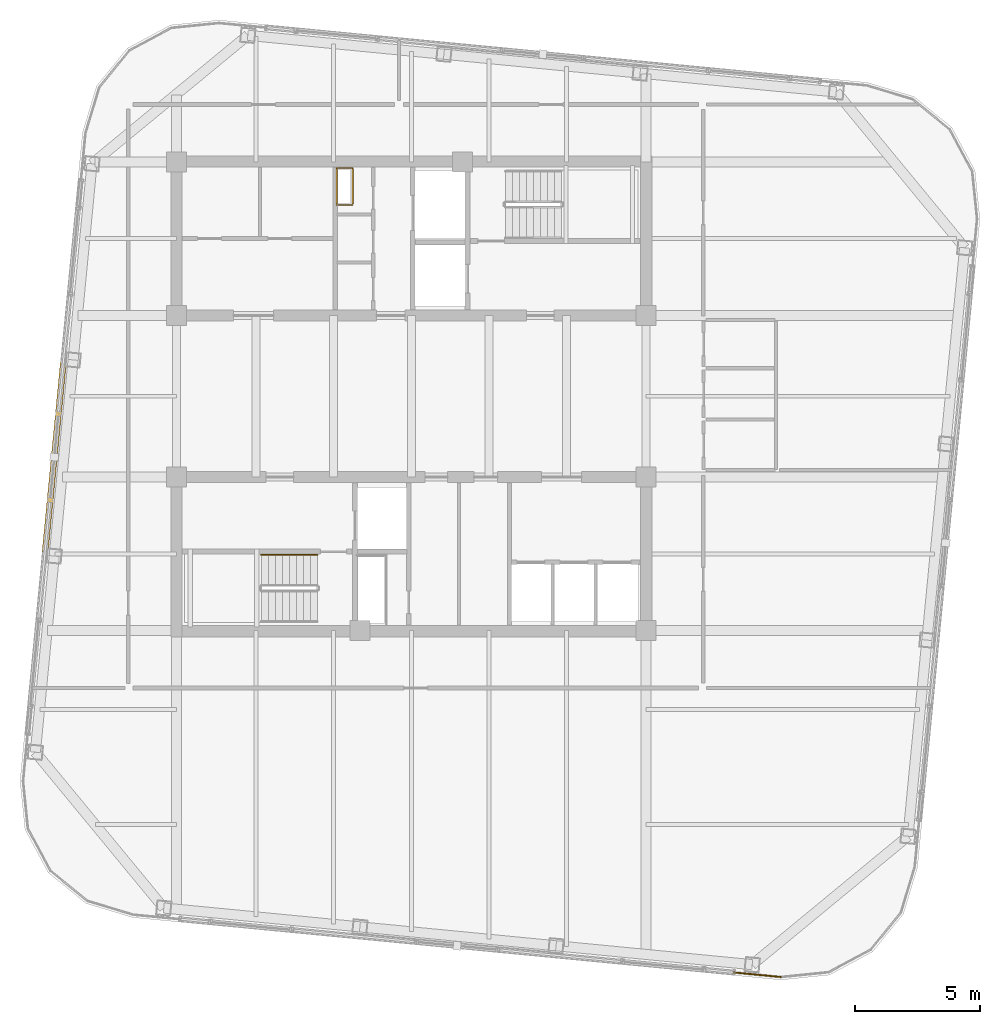
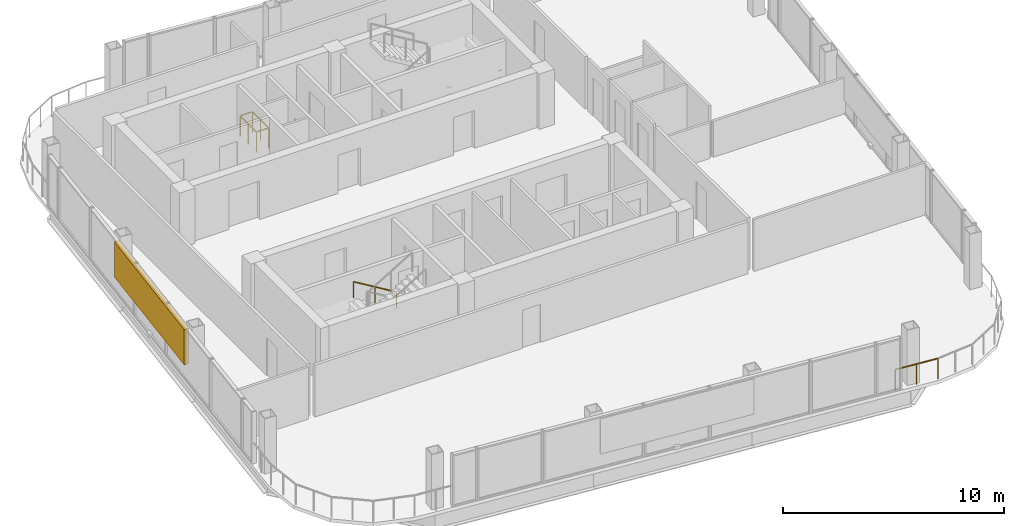
# One storey, part 20 of 22: 3 railings, 1 shading device.
"""IFC4 building model written with IfcOpenShell, lengths in metres."""

from ifc_helpers import new_model, si_unit, direction, frame, origin, origin_2d, place, context, subcontext, project, spatial, rectangle, extrude, material, type_object, element, save


model = new_model("IFC4")

# Units and contexts
model_context = context("Model", 3, precision=1e-05, world=origin(), true_north=direction((0.0, 1.0)))
body_context = subcontext(model_context, "Body", "Model", "MODEL_VIEW")
ifc_project = project(units=[si_unit("LENGTHUNIT", "METRE"), si_unit("AREAUNIT", "SQUARE_METRE"), si_unit("VOLUMEUNIT", "CUBIC_METRE"), si_unit("PLANEANGLEUNIT", "RADIAN"), si_unit("MASSUNIT", "GRAM", prefix="KILO")], contexts=[model_context])

# Site, building, storey
site_placement = place(None, origin())
site = spatial("IfcSite", under=ifc_project, at=site_placement, CompositionType="ELEMENT")
building_placement = place(site_placement, origin())
building = spatial("IfcBuilding", under=site, at=building_placement, Name="Qhalaya Broadcast Tower", CompositionType="ELEMENT")
storey_placement = place(building_placement, frame((0.0, 0.0, 245.89990234375)))
storey = spatial("IfcBuildingStorey", under=building, at=storey_placement, Name="L72", CompositionType="ELEMENT", Elevation=245.89990234375)

# Railings
ifc_material_1 = material(Name="Powder-Coated Galvanised Steel", Category="steel")
railing_type_1 = type_object("IfcRailingType", Name="Stair Wall Handrail 900", PredefinedType="HANDRAIL", material=ifc_material_1)
railing_1_placement = place(storey_placement, frame((-3.75, -5.72998046875, 0.16943359375)))
element("IfcRailing", 1, at=railing_1_placement, inside=storey, type_object=railing_type_1, Name="L72 ST-2 Stair Handrail 1", PredefinedType="HANDRAIL", context=body_context, shape_type="SweptSolid", body=[
    extrude(rectangle(XDim=0.048095703125, YDim=0.048095703125, at=origin_2d()), frame((0.0, 0.0, 0.8759765625), z_axis=(-0.855512035549, 0.0, 0.517782924622), x_axis=(0.0, -1.0, 0.0)), (0.0, 0.0, 1.0), 2.618408203125),
    extrude(rectangle(XDim=0.0419921875, YDim=0.0419921875, at=origin_2d()), origin(), (0.0, 0.0, 1.0), 0.849853515625),
    extrude(rectangle(XDim=0.0419921875, YDim=0.0419921875, at=origin_2d()), frame((-1.1201171875, 0.0, 0.677734375)), (0.0, 0.0, 1.0), 0.849853515625),
    extrude(rectangle(XDim=0.0419921875, YDim=0.0419921875, at=origin_2d()), frame((-2.239990234375, 0.0, 1.355712890625)), (0.0, 0.0, 1.0), 0.849853515625),
])
railing_type_2 = type_object("IfcRailingType", Name="Stair Well & Landing Guardrail 1100", PredefinedType="GUARDRAIL", material=ifc_material_1)
railing_2_placement = place(storey_placement, frame((-2.340087890625, 8.239990234375, 0.0)))
element("IfcRailing", 2, at=railing_2_placement, inside=storey, type_object=railing_type_2, Name="L72 Service Riser Opening Safety Guard NRSR", PredefinedType="GUARDRAIL", context=body_context, shape_type="SweptSolid", body=[
    extrude(rectangle(XDim=0.048095703125, YDim=0.048095703125, at=origin_2d()), frame((0.0, 0.02880859375, 1.1259765625), z_axis=(0.0, 1.0, 0.0), x_axis=(-1.0, 0.0, 0.0)), (0.0, 0.0, 1.0), 1.42236328125),
    extrude(rectangle(XDim=0.048095703125, YDim=0.048095703125, at=origin_2d()), frame((-0.02880859375, 1.47998046875, 1.1259765625), z_axis=(-1.0, 0.0, 0.0), x_axis=(0.0, -1.0, 0.0)), (0.0, 0.0, 1.0), 0.582275390625),
    extrude(rectangle(XDim=0.048095703125, YDim=0.048095703125, at=origin_2d()), frame((-0.639892578125, 1.451171875, 1.1259765625), z_axis=(0.0, -1.0, 0.0), x_axis=(1.0, 0.0, 0.0)), (0.0, 0.0, 1.0), 1.42236328125),
    extrude(rectangle(XDim=0.048095703125, YDim=0.048095703125, at=origin_2d()), frame((-0.611083984375, 0.0, 1.1259765625), z_axis=(1.0, 0.0, 0.0), x_axis=(0.0, 1.0, 0.0)), (0.0, 0.0, 1.0), 0.582275390625),
    extrude(rectangle(XDim=0.0419921875, YDim=0.0419921875, at=origin_2d()), origin(), (0.0, 0.0, 1.0), 1.099853515625),
    extrude(rectangle(XDim=0.0419921875, YDim=0.0419921875, at=origin_2d()), frame((0.0, 0.739990234375, 0.0)), (0.0, 0.0, 1.0), 1.099853515625),
    extrude(rectangle(XDim=0.0419921875, YDim=0.0419921875, at=origin_2d()), frame((0.0, 1.47998046875, 0.0)), (0.0, 0.0, 1.0), 1.099853515625),
    extrude(rectangle(XDim=0.0419921875, YDim=0.0419921875, at=origin_2d()), frame((-0.639892578125, 1.47998046875, 0.0)), (0.0, 0.0, 1.0), 1.099853515625),
    extrude(rectangle(XDim=0.0419921875, YDim=0.0419921875, at=origin_2d()), frame((-0.639892578125, 0.739990234375, 0.0)), (0.0, 0.0, 1.0), 1.099853515625),
    extrude(rectangle(XDim=0.0419921875, YDim=0.0419921875, at=origin_2d()), frame((-0.639892578125, 0.0, 0.0)), (0.0, 0.0, 1.0), 1.099853515625),
])
railing_type_3 = type_object("IfcRailingType", Name="Terrace, Sky-Pool & Lookout Glass Balustrade 1150", PredefinedType="BALUSTRADE", material=ifc_material_1)
railing_3_placement = place(storey_placement, frame((14.754638671875, -22.58251953125, 0.0)))
element("IfcRailing", 3, at=railing_3_placement, inside=storey, type_object=railing_type_3, Name="L72 Rounded Corner Perimeter Guard 01", PredefinedType="BALUSTRADE", context=body_context, shape_type="SweptSolid", body=[
    extrude(rectangle(XDim=0.048095703125, YDim=0.048095703125, at=origin_2d()), frame((0.0, 0.0, 1.1259765625), z_axis=(-0.995391273094, 0.095896889673, 0.0), x_axis=(-0.095896889673, -0.995391273094, 0.0)), (0.0, 0.0, 1.0), 2.1181640625),
    extrude(rectangle(XDim=0.0419921875, YDim=0.0419921875, at=origin_2d()), origin(), (0.0, 0.0, 1.0), 1.099853515625),
    extrude(rectangle(XDim=0.0419921875, YDim=0.0419921875, at=origin_2d()), frame((-1.05419921875, 0.1015625, 0.0)), (0.0, 0.0, 1.0), 1.099853515625),
    extrude(rectangle(XDim=0.0419921875, YDim=0.0419921875, at=origin_2d()), frame((-2.1083984375, 0.203125, 0.0)), (0.0, 0.0, 1.0), 1.099853515625),
])

# Shading device
ifc_material_2 = material(Name="Fired Architectural Terracotta", Category="masonry")
shading_device_type = type_object("IfcShadingDeviceType", Name="Terracotta Baguette Solar Screen Assembly TBS-01", PredefinedType="USERDEFINED", material=ifc_material_2)
shading_device_placement = place(storey_placement, frame((-14.2578125, -1.826171875, 0.80078125), z_axis=(0.0, 0.0, 1.0), x_axis=(-0.09584575252, -0.995396198367, 0.0)))
element("IfcShadingDevice", 4, at=shading_device_placement, inside=storey, type_object=shading_device_type, Name="L72 Fired Terracotta Baguette Screen W", ObjectType="BAGUETTE", PredefinedType="USERDEFINED", context=body_context, shape_type="SweptSolid", body=[
    extrude(rectangle(XDim=7.60009765625, YDim=0.239990234375, at=origin_2d()), origin(), (0.0, 0.0, 1.0), 1.945068359375),
])

save(model, "model.ifc")
